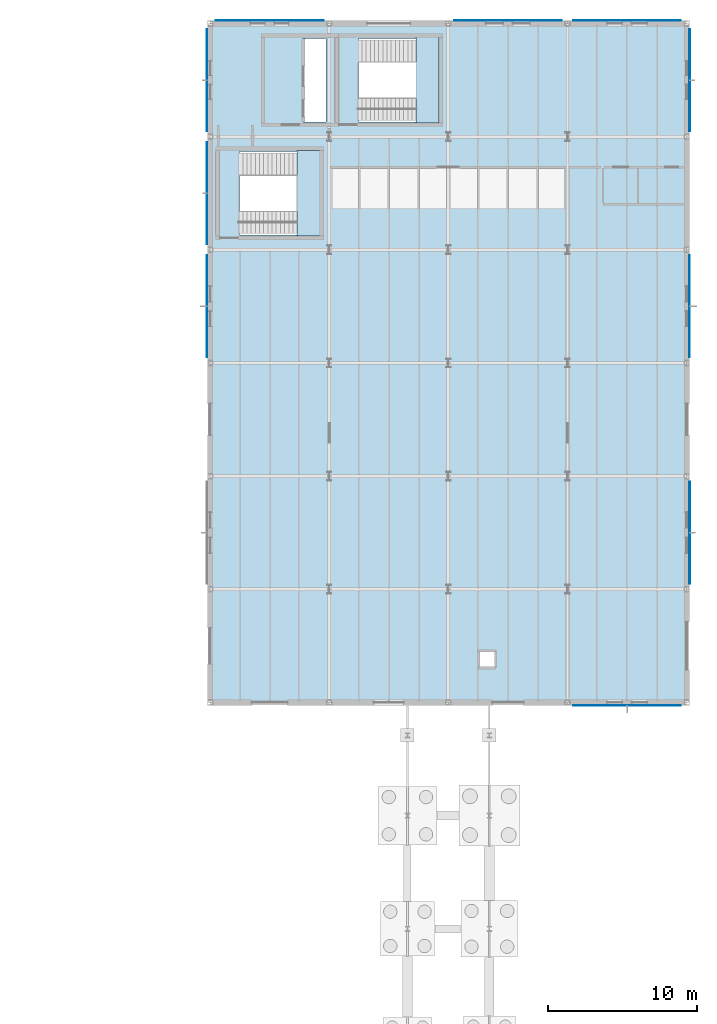
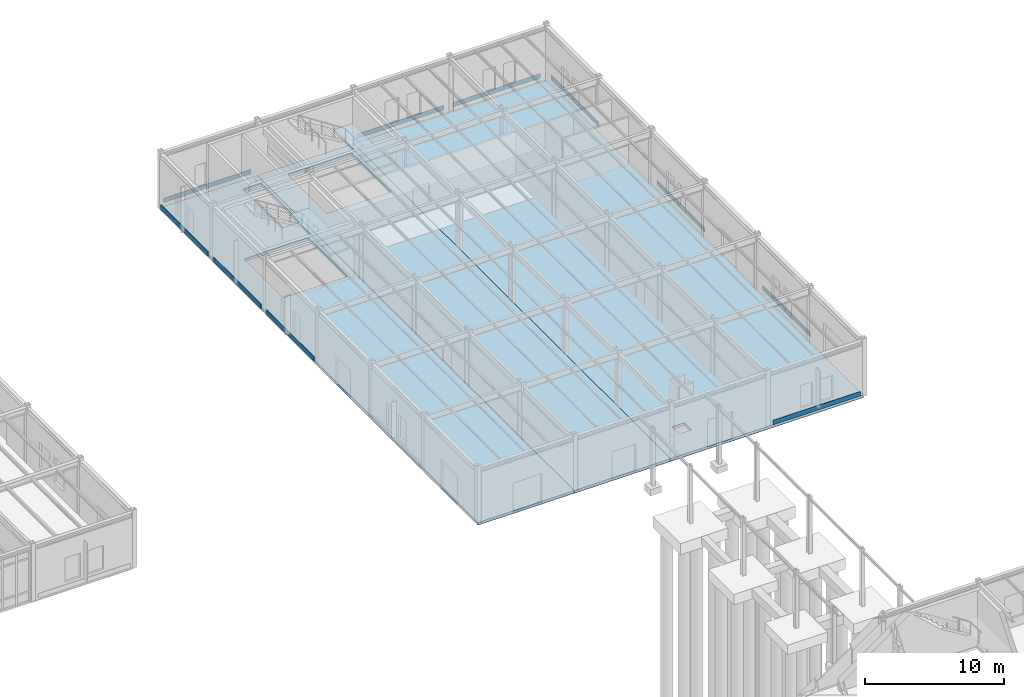
# One storey, part 80 of 109: 10 plates, 5 slabs, 2 elements without a shape of their own.
"""IFC4 building model written with IfcOpenShell, lengths in metres."""

from ifc_helpers import new_model, si_unit, direction, frame, origin, origin_2d, place, context, subcontext, project, spatial, polyline, rectangle, outline, extrude, material, layer, layer_set, type_object, element, aggregate, save


model = new_model("IFC4")

# Units and contexts
model_context = context("Model", 3, precision=1e-05, world=origin(), true_north=direction((0.0, 1.0)))
body_context = subcontext(model_context, "Body", "Model", "MODEL_VIEW")
ifc_project = project(units=[si_unit("LENGTHUNIT", "METRE"), si_unit("AREAUNIT", "SQUARE_METRE"), si_unit("VOLUMEUNIT", "CUBIC_METRE"), si_unit("PLANEANGLEUNIT", "RADIAN"), si_unit("MASSUNIT", "GRAM", prefix="KILO")], contexts=[model_context])

# Site, building, storey
site_placement = place(None, origin())
site = spatial("IfcSite", under=ifc_project, at=site_placement, CompositionType="ELEMENT")
building_placement = place(site_placement, origin())
building = spatial("IfcBuilding", under=site, at=building_placement, Name="Montecoro Central Library", CompositionType="ELEMENT")
storey_placement = place(building_placement, origin())
storey = spatial("IfcBuildingStorey", under=building, at=storey_placement, Name="L00", CompositionType="ELEMENT", Elevation=0.0)

# Plates
ifc_material_1 = material(Name="Architectural bronze spandrel plate", Category="aluminium")
ifc_layer_1 = layer(ifc_material_1, 0.02197265625)
ifc_layer_set_1 = layer_set([ifc_layer_1], Name="Architectural bronze spandrel plate")
plate_type_1 = type_object("IfcPlateType", Name="PLT-SPN-01", PredefinedType="SHEET", material=ifc_layer_set_1)
plate_1_placement = place(storey_placement, frame((169.0, 73.196533203125, 0.16015625), z_axis=(0.0, 0.0, 1.0), x_axis=(1.0, 0.0, 0.0)))
element("IfcPlate", 1, at=plate_1_placement, inside=storey, type_object=plate_type_1, Name="V5-L00-SPN-S3", PredefinedType="SHEET", context=body_context, shape_type="SweptSolid", body=[
    extrude(rectangle(XDim=7.243896484375, YDim=0.02197265625, at=origin_2d()), origin(), (0.0, 0.0, 1.0), 0.39990234375),
])
plate_2_placement = place(storey_placement, frame((173.20361328125, 100.0, 0.16015625), z_axis=(0.0, 0.0, 1.0), x_axis=(0.0, 1.0, 0.0)))
element("IfcPlate", 2, at=plate_2_placement, inside=storey, type_object=plate_type_1, Name="V5-L00-SPN-E3", PredefinedType="SHEET", context=body_context, shape_type="SweptSolid", body=[
    extrude(rectangle(XDim=6.843994140625, YDim=0.02197265625, at=origin_2d()), origin(), (0.0, 0.0, 1.0), 0.39990234375),
])
plate_3_placement = place(storey_placement, frame((169.0, 119.20361328125, 0.16015625), z_axis=(0.0, 0.0, 1.0), x_axis=(-1.0, 0.0, 0.0)))
element("IfcPlate", 3, at=plate_3_placement, inside=storey, type_object=plate_type_1, Name="V5-L00-SPN-N3", PredefinedType="SHEET", context=body_context, shape_type="SweptSolid", body=[
    extrude(rectangle(XDim=7.243896484375, YDim=0.02197265625, at=origin_2d()), origin(), (0.0, 0.0, 1.0), 0.39990234375),
])
plate_4_placement = place(storey_placement, frame((140.79638671875, 100.0, 0.16015625), z_axis=(0.0, 0.0, 1.0), x_axis=(0.0, -1.0, 0.0)))
element("IfcPlate", 4, at=plate_4_placement, inside=storey, type_object=plate_type_1, Name="V5-L00-SPN-W3", PredefinedType="SHEET", context=body_context, shape_type="SweptSolid", body=[
    extrude(rectangle(XDim=6.843994140625, YDim=0.02197265625, at=origin_2d()), origin(), (0.0, 0.0, 1.0), 0.39990234375),
])
ifc_layer_2 = layer(ifc_material_1, 0.028076171875)
ifc_layer_set_2 = layer_set([ifc_layer_2], Name="Architectural bronze spandrel plate")
plate_type_2 = type_object("IfcPlateType", Name="PLT-SPN-02", PredefinedType="SHEET", material=ifc_layer_set_2)
plate_5_placement = place(storey_placement, frame((145.0, 119.20654296875, 0.16015625), z_axis=(0.0, 0.0, 1.0), x_axis=(-1.0, 0.0, 0.0)))
element("IfcPlate", 5, at=plate_5_placement, inside=storey, type_object=plate_type_2, Name="V5-L00-SPN-N0", PredefinedType="SHEET", context=body_context, shape_type="SweptSolid", body=[
    extrude(rectangle(XDim=7.243896484375, YDim=0.028076171875, at=origin_2d()), origin(), (0.0, 0.0, 1.0), 0.39990234375),
])
plate_6_placement = place(storey_placement, frame((140.79345703125, 107.60009765625, 0.16015625), z_axis=(0.0, 0.0, 1.0), x_axis=(0.0, -1.0, 0.0)))
element("IfcPlate", 6, at=plate_6_placement, inside=storey, type_object=plate_type_2, Name="V5-L00-SPN-W4", PredefinedType="SHEET", context=body_context, shape_type="SweptSolid", body=[
    extrude(rectangle(XDim=6.843994140625, YDim=0.028076171875, at=origin_2d()), origin(), (0.0, 0.0, 1.0), 0.39990234375),
])
ifc_layer_3 = layer(ifc_material_1, 0.035888671875)
ifc_layer_set_3 = layer_set([ifc_layer_3], Name="Architectural bronze spandrel plate")
plate_type_3 = type_object("IfcPlateType", Name="PLT-SPN-03", PredefinedType="SHEET", material=ifc_layer_set_3)
for number, where, z_axis, x_axis, name in (
    (7, (173.21044921875, 84.800048828125, 0.16015625), (0.0, 0.0, 1.0), (0.0, 1.0, 0.0), "V5-L00-SPN-E1"),
    (8, (173.21044921875, 115.199951171875, 0.16015625), (0.0, 0.0, 1.0), (0.0, 1.0, 0.0), "V5-L00-SPN-E5"),
    (9, (140.78955078125, 115.199951171875, 0.16015625), (0.0, 0.0, 1.0), (0.0, -1.0, 0.0), "V5-L00-SPN-W5"),
):
    element("IfcPlate", number, at=place(storey_placement, frame(where, z_axis=z_axis, x_axis=x_axis)), inside=storey, type_object=plate_type_3, Name=name, PredefinedType="SHEET", context=body_context, shape_type="SweptSolid", body=[
        extrude(rectangle(XDim=6.843994140625, YDim=0.035888671875, at=origin_2d()), origin(), (0.0, 0.0, 1.0), 0.39990234375),
    ])
ifc_layer_4 = layer(ifc_material_1, 0.0439453125)
ifc_layer_set_4 = layer_set([ifc_layer_4], Name="Architectural bronze spandrel plate")
plate_type_4 = type_object("IfcPlateType", Name="PLT-SPN-04", PredefinedType="SHEET", material=ifc_layer_set_4)
plate_7_placement = place(storey_placement, frame((161.0, 119.214599609375, 0.16015625), z_axis=(0.0, 0.0, 1.0), x_axis=(-1.0, 0.0, 0.0)))
element("IfcPlate", 10, at=plate_7_placement, inside=storey, type_object=plate_type_4, Name="V5-L00-SPN-N2", PredefinedType="SHEET", context=body_context, shape_type="SweptSolid", body=[
    extrude(rectangle(XDim=7.243896484375, YDim=0.0439453125, at=origin_2d()), origin(), (0.0, 0.0, 1.0), 0.39990234375),
])

# Stair, slab
ifc_material_2 = material(Name="Concrete C35/45", Category="concrete")
stair_type = type_object("IfcStairType", Name="STR-RET-150", PredefinedType="HALF_TURN_STAIR", material=ifc_material_2)
stair_1_placement = place(storey_placement, origin())
stair_1 = element("IfcStair", 11, at=stair_1_placement, inside=storey, type_object=stair_type, Name="C6-L00-STR", PredefinedType="HALF_TURN_STAIR")
ifc_layer_5 = layer(ifc_material_2, 0.199951171875)
ifc_layer_set_5 = layer_set([ifc_layer_5], Name="Concrete C35/45")
slab_type_1 = type_object("IfcSlabType", Name="SL-LND-200", PredefinedType="LANDING", material=ifc_layer_set_5)
slab_1_placement = place(storey_placement, frame((0.0, 0.0, 2.35009765625)))
slab_1 = element("IfcSlab", 12, at=slab_1_placement, type_object=slab_type_1, Name="ST-06 landing 1", PredefinedType="LANDING", context=body_context, shape_type="SweptSolid", body=[
    extrude(outline(polyline([(154.840087890625, 112.320068359375), (156.3798828125, 112.320068359375), (156.3798828125, 118.080078125), (154.840087890625, 118.080078125), (154.840087890625, 112.320068359375)])), origin(), (0.0, 0.0, 1.0), 0.199951171875),
])
aggregate(stair_1, [slab_1])

stair_2_placement = place(storey_placement, origin())
stair_2 = element("IfcStair", 13, at=stair_2_placement, inside=storey, type_object=stair_type, Name="C8-L00-STR", PredefinedType="HALF_TURN_STAIR")
slab_2_placement = place(storey_placement, frame((0.0, 0.0, 2.35009765625)))
slab_2 = element("IfcSlab", 14, at=slab_2_placement, type_object=slab_type_1, Name="ST-08 landing 1", PredefinedType="LANDING", context=body_context, shape_type="SweptSolid", body=[
    extrude(outline(polyline([(146.840087890625, 104.719970703125), (148.3798828125, 104.719970703125), (148.3798828125, 110.47998046875), (146.840087890625, 110.47998046875), (146.840087890625, 104.719970703125)])), origin(), (0.0, 0.0, 1.0), 0.199951171875),
])
aggregate(stair_2, [slab_2])

# Slabs
ifc_material_3 = material(Name="Concrete C32/40", Category="concrete")
ifc_layer_6 = layer(ifc_material_3, 0.2451171875)
ifc_layer_set_6 = layer_set([ifc_layer_6], Name="Concrete C32/40")
slab_type_2 = type_object("IfcSlabType", Name="SL-STK-245", PredefinedType="FLOOR", material=ifc_layer_set_6)
slab_3_placement = place(storey_placement, frame((0.0, 0.0, -0.2451171875)))
element("IfcSlab", 15, at=slab_3_placement, inside=storey, type_object=slab_type_2, Name="V5-L00-SL1", PredefinedType="FLOOR", context=body_context, shape_type="SweptSolid", body=[
    extrude(outline(polyline([(141.0, 73.39990234375), (149.0, 73.39990234375), (149.0, 119.0), (141.0, 119.0), (141.0, 73.39990234375)]), holes=[polyline([(147.25, 118.0), (148.780029296875, 118.0), (148.780029296875, 112.39990234375), (147.25, 112.39990234375), (147.25, 118.0)]), polyline([(142.9599609375, 110.39990234375), (148.300048828125, 110.39990234375), (148.300048828125, 104.800048828125), (142.9599609375, 104.800048828125), (142.9599609375, 110.39990234375)])]), origin(), (0.0, 0.0, 1.0), 0.2451171875),
])
slab_4_placement = place(storey_placement, frame((0.0, 0.0, -0.2451171875)))
element("IfcSlab", 16, at=slab_4_placement, inside=storey, type_object=slab_type_2, Name="V5-L00-SL2", PredefinedType="FLOOR", context=body_context, shape_type="SweptSolid", body=[
    extrude(outline(polyline([(149.0, 73.39990234375), (157.0, 73.39990234375), (157.0, 119.0), (149.0, 119.0), (149.0, 73.39990234375)]), holes=[polyline([(150.9599609375, 118.0), (156.300048828125, 118.0), (156.300048828125, 112.39990234375), (150.9599609375, 112.39990234375), (150.9599609375, 118.0)])]), origin(), (0.0, 0.0, 1.0), 0.2451171875),
])
slab_5_placement = place(storey_placement, frame((0.0, 0.0, -0.2451171875)))
element("IfcSlab", 17, at=slab_5_placement, inside=storey, type_object=slab_type_2, Name="V5-L00-SL3", PredefinedType="FLOOR", context=body_context, shape_type="SweptSolid", body=[
    extrude(outline(polyline([(157.0, 73.39990234375), (173.0, 73.39990234375), (173.0, 119.0), (157.0, 119.0), (157.0, 73.39990234375)]), holes=[polyline([(159.10009765625, 76.800048828125), (160.10009765625, 76.800048828125), (160.10009765625, 75.800048828125), (159.10009765625, 75.800048828125), (159.10009765625, 76.800048828125)])]), origin(), (0.0, 0.0, 1.0), 0.2451171875),
])

save(model, "model.ifc")
